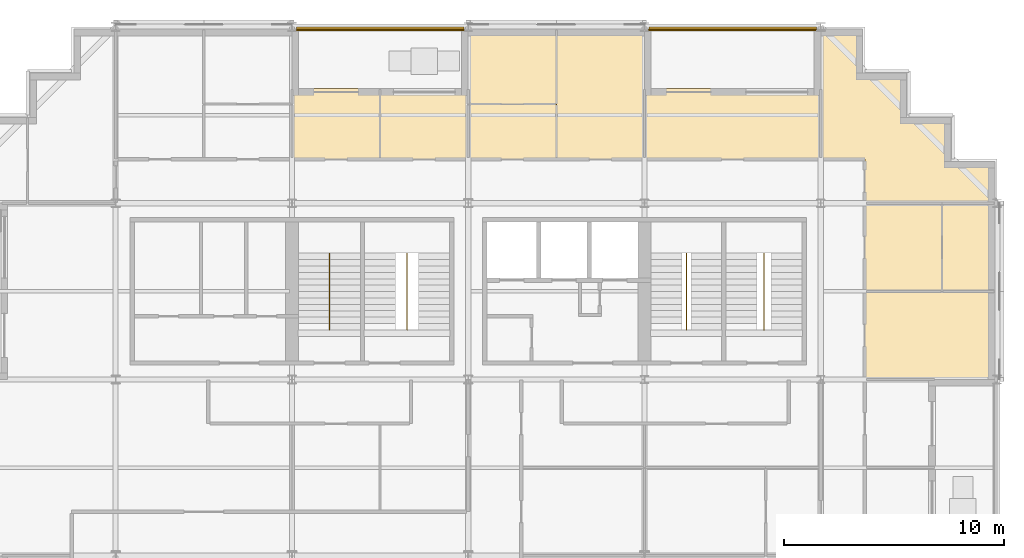
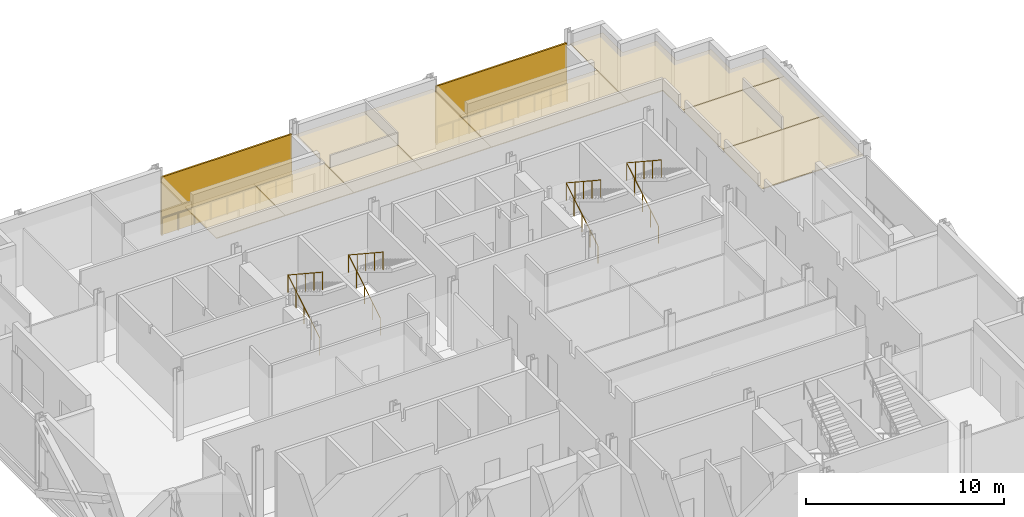
# One storey, part 14 of 15: 10 coverings, 6 railings, 2 shading devices.
"""IFC4 building model written with IfcOpenShell, lengths in metres."""

from ifc_helpers import new_model, si_unit, direction, frame, origin, origin_2d, place, context, subcontext, project, spatial, polyline, rectangle, circle, outline, extrude, material, layer, layer_set, type_object, element, save


model = new_model("IFC4")

# Units and contexts
model_context = context("Model", 3, precision=1e-05, world=origin(), true_north=direction((0.0, 1.0)))
body_context = subcontext(model_context, "Body", "Model", "MODEL_VIEW")
ifc_project = project(units=[si_unit("LENGTHUNIT", "METRE"), si_unit("AREAUNIT", "SQUARE_METRE"), si_unit("VOLUMEUNIT", "CUBIC_METRE"), si_unit("PLANEANGLEUNIT", "RADIAN"), si_unit("MASSUNIT", "GRAM", prefix="KILO")], contexts=[model_context])

# Site, building, storey
site_placement = place(None, origin())
site = spatial("IfcSite", under=ifc_project, at=site_placement, CompositionType="ELEMENT")
building_placement = place(site_placement, origin())
building = spatial("IfcBuilding", under=site, at=building_placement, Name="Immortelle Media Tower", CompositionType="ELEMENT")
storey_placement = place(building_placement, frame((0.0, 0.0, 70.0)))
storey = spatial("IfcBuildingStorey", under=building, at=storey_placement, Name="L12", CompositionType="ELEMENT", Elevation=70.0)

# Railings
ifc_material_1 = material(Name="Powder-coated aluminium fretwork panel, laminated glass backing", Category="aluminium")
railing_type_1 = type_object("IfcRailingType", Name="Fretwork balustrade 1100", PredefinedType="BALUSTRADE", material=ifc_material_1)
railing_1_placement = place(storey_placement, frame((39.802978515625, 47.860107421875, 0.0)))
element("IfcRailing", 1, at=railing_1_placement, inside=storey, type_object=railing_type_1, Name="Fretwork balustrade L12 N0", PredefinedType="BALUSTRADE", context=body_context, shape_type="SweptSolid", body=[
    extrude(circle(Radius=0.02490234375, at=origin_2d()), frame((0.0, 0.0, 1.0751953125), z_axis=(-1.0, 0.0, 0.0), x_axis=(0.0, -1.0, 0.0)), (0.0, 0.0, 1.0), 7.6025390625),
    extrude(circle(Radius=0.02001953125, at=origin_2d()), origin(), (0.0, 0.0, 1.0), 1.050048828125),
    extrude(circle(Radius=0.02001953125, at=origin_2d()), frame((-0.9501953125, 0.0, 0.0)), (0.0, 0.0, 1.0), 1.050048828125),
    extrude(circle(Radius=0.02001953125, at=origin_2d()), frame((-1.900634765625, 0.0, 0.0)), (0.0, 0.0, 1.0), 1.050048828125),
    extrude(circle(Radius=0.02001953125, at=origin_2d()), frame((-2.85107421875, 0.0, 0.0)), (0.0, 0.0, 1.0), 1.050048828125),
    extrude(circle(Radius=0.02001953125, at=origin_2d()), frame((-3.80126953125, 0.0, 0.0)), (0.0, 0.0, 1.0), 1.050048828125),
    extrude(circle(Radius=0.02001953125, at=origin_2d()), frame((-4.75146484375, 0.0, 0.0)), (0.0, 0.0, 1.0), 1.050048828125),
    extrude(circle(Radius=0.02001953125, at=origin_2d()), frame((-5.701904296875, 0.0, 0.0)), (0.0, 0.0, 1.0), 1.050048828125),
    extrude(circle(Radius=0.02001953125, at=origin_2d()), frame((-6.65234375, 0.0, 0.0)), (0.0, 0.0, 1.0), 1.050048828125),
    extrude(circle(Radius=0.02001953125, at=origin_2d()), frame((-7.6025390625, 0.0, 0.0)), (0.0, 0.0, 1.0), 1.050048828125),
])
railing_2_placement = place(storey_placement, frame((23.799560546875, 47.860107421875, 0.0)))
element("IfcRailing", 2, at=railing_2_placement, inside=storey, type_object=railing_type_1, Name="Fretwork balustrade L12 N2", PredefinedType="BALUSTRADE", context=body_context, shape_type="SweptSolid", body=[
    extrude(circle(Radius=0.02490234375, at=origin_2d()), frame((0.0, 0.0, 1.0751953125), z_axis=(-1.0, 0.0, 0.0), x_axis=(0.0, -1.0, 0.0)), (0.0, 0.0, 1.0), 7.593994140625),
    extrude(circle(Radius=0.02001953125, at=origin_2d()), origin(), (0.0, 0.0, 1.0), 1.050048828125),
    extrude(circle(Radius=0.02001953125, at=origin_2d()), frame((-0.94921875, 0.0, 0.0)), (0.0, 0.0, 1.0), 1.050048828125),
    extrude(circle(Radius=0.02001953125, at=origin_2d()), frame((-1.8984375, 0.0, 0.0)), (0.0, 0.0, 1.0), 1.050048828125),
    extrude(circle(Radius=0.02001953125, at=origin_2d()), frame((-2.84765625, 0.0, 0.0)), (0.0, 0.0, 1.0), 1.050048828125),
    extrude(circle(Radius=0.02001953125, at=origin_2d()), frame((-3.796875, 0.0, 0.0)), (0.0, 0.0, 1.0), 1.050048828125),
    extrude(circle(Radius=0.02001953125, at=origin_2d()), frame((-4.746337890625, 0.0, 0.0)), (0.0, 0.0, 1.0), 1.050048828125),
    extrude(circle(Radius=0.02001953125, at=origin_2d()), frame((-5.695556640625, 0.0, 0.0)), (0.0, 0.0, 1.0), 1.050048828125),
    extrude(circle(Radius=0.02001953125, at=origin_2d()), frame((-6.644775390625, 0.0, 0.0)), (0.0, 0.0, 1.0), 1.050048828125),
    extrude(circle(Radius=0.02001953125, at=origin_2d()), frame((-7.593994140625, 0.0, 0.0)), (0.0, 0.0, 1.0), 1.050048828125),
])

# Shading devices
ifc_material_2 = material(Name="Pale aluminium louvre blades", Category="aluminium")
ifc_layer_1 = layer(ifc_material_2, 0.10009765625)
ifc_layer_set_1 = layer_set([ifc_layer_1], Name="Pale aluminium louvre blades")
shading_device_type = type_object("IfcShadingDeviceType", Name="Jalousie screen 100", PredefinedType="JALOUSIE", material=ifc_layer_set_1)
shading_device_1_placement = place(storey_placement, frame((36.001708984375, 47.949951171875, 0.0), z_axis=(0.0, 0.0, 1.0), x_axis=(-1.0, 0.0, 0.0)))
element("IfcShadingDevice", 3, at=shading_device_1_placement, inside=storey, type_object=shading_device_type, Name="Jalousie screen L12 N0", PredefinedType="JALOUSIE", context=body_context, shape_type="SweptSolid", body=[
    extrude(rectangle(XDim=7.6025390625, YDim=0.10009765625, at=origin_2d()), origin(), (0.0, 0.0, 1.0), 3.556884765625),
])
shading_device_2_placement = place(storey_placement, frame((20.00244140625, 47.949951171875, 0.0), z_axis=(0.0, 0.0, 1.0), x_axis=(-1.0, 0.0, 0.0)))
element("IfcShadingDevice", 4, at=shading_device_2_placement, inside=storey, type_object=shading_device_type, Name="Jalousie screen L12 N2", PredefinedType="JALOUSIE", context=body_context, shape_type="SweptSolid", body=[
    extrude(rectangle(XDim=7.593994140625, YDim=0.10009765625, at=origin_2d()), origin(), (0.0, 0.0, 1.0), 3.556884765625),
])

# Railings
ifc_material_3 = material(Name="Stainless steel AISI 316", Category="steel")
railing_type_2 = type_object("IfcRailingType", Name="Stair guard 1100", PredefinedType="GUARDRAIL", material=ifc_material_3)
for number, where, name in (
    (5, (17.699951171875, 34.5400390625, 0.176025390625), "Stair guard NW1"),
    (6, (21.22509765625, 34.5400390625, 0.176025390625), "Stair guard NW2"),
    (7, (33.89990234375, 34.5400390625, 0.176025390625), "Stair guard NE1"),
    (8, (37.425048828125, 34.5400390625, 0.176025390625), "Stair guard NE2"),
):
    element("IfcRailing", number, at=place(storey_placement, frame(where)), inside=storey, type_object=railing_type_2, Name=name, PredefinedType="GUARDRAIL", context=body_context, shape_type="SweptSolid", body=[
        extrude(circle(Radius=0.02392578125, at=origin_2d()), frame((0.0, 0.0, 1.076171875), z_axis=(0.0, 0.854872504309, 0.518838126371), x_axis=(-1.0, 0.0, 0.0)), (0.0, 0.0, 1.0), 3.7314453125),
        extrude(circle(Radius=0.02392578125, at=origin_2d()), frame((0.0, 3.18994140625, 3.01220703125), z_axis=(0.0, -0.835595538677, 0.549345151743), x_axis=(1.0, 0.0, 0.0)), (0.0, 0.0, 1.0), 4.16455078125),
        extrude(circle(Radius=0.02099609375, at=origin_2d()), origin(), (0.0, 0.0, 1.0), 1.052001953125),
        extrude(circle(Radius=0.02099609375, at=origin_2d()), frame((0.0, 0.79736328125, 0.48388671875)), (0.0, 0.0, 1.0), 1.052001953125),
        extrude(circle(Radius=0.02099609375, at=origin_2d()), frame((0.0, 1.594970703125, 0.968017578125)), (0.0, 0.0, 1.0), 1.052001953125),
        extrude(circle(Radius=0.02099609375, at=origin_2d()), frame((0.0, 2.392578125, 1.4521484375)), (0.0, 0.0, 1.0), 1.052001953125),
        extrude(circle(Radius=0.02099609375, at=origin_2d()), frame((0.0, 3.18994140625, 1.93603515625)), (0.0, 0.0, 1.0), 1.052001953125),
        extrude(circle(Radius=0.02099609375, at=origin_2d()), frame((0.0, 2.31982421875, 2.508056640625)), (0.0, 0.0, 1.0), 1.052001953125),
        extrude(circle(Radius=0.02099609375, at=origin_2d()), frame((0.0, 1.449951171875, 3.080078125)), (0.0, 0.0, 1.0), 1.052001953125),
        extrude(circle(Radius=0.02099609375, at=origin_2d()), frame((0.0, 0.580078125, 3.65185546875)), (0.0, 0.0, 1.0), 1.052001953125),
        extrude(circle(Radius=0.02099609375, at=origin_2d()), frame((0.0, -0.2900390625, 4.223876953125)), (0.0, 0.0, 1.0), 1.052001953125),
    ])

# Coverings
ifc_material_4 = material(Name="Mineral fibre tile ceiling")
ifc_layer_2 = layer(ifc_material_4, 0.050048828125)
ifc_layer_set_2 = layer_set([ifc_layer_2], Name="Mineral fibre tile ceiling")
covering_type = type_object("IfcCoveringType", Name="Suspended ceiling 50", PredefinedType="CEILING", material=ifc_layer_set_2)
covering_1_placement = place(storey_placement, frame((0.0, 0.0, 3.419921875)))
element("IfcCovering", 9, at=covering_1_placement, inside=storey, type_object=covering_type, Name="Ceiling L12-026", PredefinedType="CEILING", context=body_context, shape_type="SweptSolid", body=[
    extrude(outline(polyline([(42.0, 32.0), (42.0, 36.0), (47.89990234375, 36.0), (47.89990234375, 32.0), (45.199951171875, 32.0), (42.0, 32.0)])), origin(), (0.0, 0.0, 1.0), 0.050048828125),
])
covering_2_placement = place(storey_placement, frame((0.0, 0.0, 3.419921875)))
element("IfcCovering", 10, at=covering_2_placement, inside=storey, type_object=covering_type, Name="Ceiling L12-027", PredefinedType="CEILING", context=body_context, shape_type="SweptSolid", body=[
    extrude(outline(polyline([(45.5, 40.0), (45.5, 36.0), (42.0, 36.0), (42.0, 40.0), (45.5, 40.0)])), origin(), (0.0, 0.0, 1.0), 0.050048828125),
])
covering_3_placement = place(storey_placement, frame((0.0, 0.0, 3.419921875)))
element("IfcCovering", 11, at=covering_3_placement, inside=storey, type_object=covering_type, Name="Ceiling L12-028", PredefinedType="CEILING", context=body_context, shape_type="SweptSolid", body=[
    extrude(outline(polyline([(47.89990234375, 40.0), (47.89990234375, 36.0), (45.5, 36.0), (45.5, 40.0), (47.89990234375, 40.0)])), origin(), (0.0, 0.0, 1.0), 0.050048828125),
])
covering_4_placement = place(storey_placement, frame((0.0, 0.0, 3.419921875)))
element("IfcCovering", 12, at=covering_4_placement, inside=storey, type_object=covering_type, Name="Ceiling L12-031", PredefinedType="CEILING", context=body_context, shape_type="SweptSolid", body=[
    extrude(outline(polyline([(45.89990234375, 41.89990234375), (47.89990234375, 41.89990234375), (47.89990234375, 40.0), (44.0, 40.0), (42.0, 40.0), (42.0, 42.0), (40.0, 42.0), (40.0, 45.199951171875), (40.0, 47.89990234375), (41.89990234375, 47.89990234375), (41.89990234375, 45.89990234375), (43.89990234375, 45.89990234375), (43.89990234375, 43.89990234375), (44.0, 43.89990234375), (45.89990234375, 43.89990234375), (45.89990234375, 41.89990234375)])), origin(), (0.0, 0.0, 1.0), 0.050048828125),
])
covering_5_placement = place(storey_placement, frame((0.0, 0.0, 3.419921875)))
element("IfcCovering", 13, at=covering_5_placement, inside=storey, type_object=covering_type, Name="Ceiling L12-032", PredefinedType="CEILING", context=body_context, shape_type="SweptSolid", body=[
    extrude(outline(polyline([(16.0, 45.199951171875), (20.0, 45.199951171875), (20.0, 42.0), (16.0, 42.0), (16.0, 45.199951171875)])), origin(), (0.0, 0.0, 1.0), 0.050048828125),
])
covering_6_placement = place(storey_placement, frame((0.0, 0.0, 3.419921875)))
element("IfcCovering", 14, at=covering_6_placement, inside=storey, type_object=covering_type, Name="Ceiling L12-033", PredefinedType="CEILING", context=body_context, shape_type="SweptSolid", body=[
    extrude(outline(polyline([(24.0, 45.199951171875), (24.0, 42.0), (20.0, 42.0), (20.0, 45.199951171875), (24.0, 45.199951171875)])), origin(), (0.0, 0.0, 1.0), 0.050048828125),
])
covering_7_placement = place(storey_placement, frame((0.0, 0.0, 3.419921875)))
element("IfcCovering", 15, at=covering_7_placement, inside=storey, type_object=covering_type, Name="Ceiling L12-034", PredefinedType="CEILING", context=body_context, shape_type="SweptSolid", body=[
    extrude(outline(polyline([(32.0, 42.0), (32.0, 45.199951171875), (40.0, 45.199951171875), (40.0, 42.0), (32.0, 42.0)])), origin(), (0.0, 0.0, 1.0), 0.050048828125),
])
covering_8_placement = place(storey_placement, frame((0.0, 0.0, 3.419921875)))
element("IfcCovering", 16, at=covering_8_placement, inside=storey, type_object=covering_type, Name="Ceiling L12-038", PredefinedType="CEILING", context=body_context, shape_type="SweptSolid", body=[
    extrude(outline(polyline([(28.0, 42.0), (24.0, 42.0), (24.0, 44.5), (28.0, 44.5), (28.0, 42.0)])), origin(), (0.0, 0.0, 1.0), 0.050048828125),
])
covering_9_placement = place(storey_placement, frame((0.0, 0.0, 3.419921875)))
element("IfcCovering", 17, at=covering_9_placement, inside=storey, type_object=covering_type, Name="Ceiling L12-039", PredefinedType="CEILING", context=body_context, shape_type="SweptSolid", body=[
    extrude(outline(polyline([(24.0, 47.89990234375), (28.0, 47.89990234375), (28.0, 44.5), (24.0, 44.5), (24.0, 45.199951171875), (24.0, 47.89990234375)])), origin(), (0.0, 0.0, 1.0), 0.050048828125),
])
covering_10_placement = place(storey_placement, frame((0.0, 0.0, 3.419921875)))
element("IfcCovering", 18, at=covering_10_placement, inside=storey, type_object=covering_type, Name="Ceiling L12-040", PredefinedType="CEILING", context=body_context, shape_type="SweptSolid", body=[
    extrude(outline(polyline([(32.0, 47.89990234375), (32.0, 45.199951171875), (32.0, 42.0), (28.0, 42.0), (28.0, 47.89990234375), (32.0, 47.89990234375)])), origin(), (0.0, 0.0, 1.0), 0.050048828125),
])

save(model, "model.ifc")
